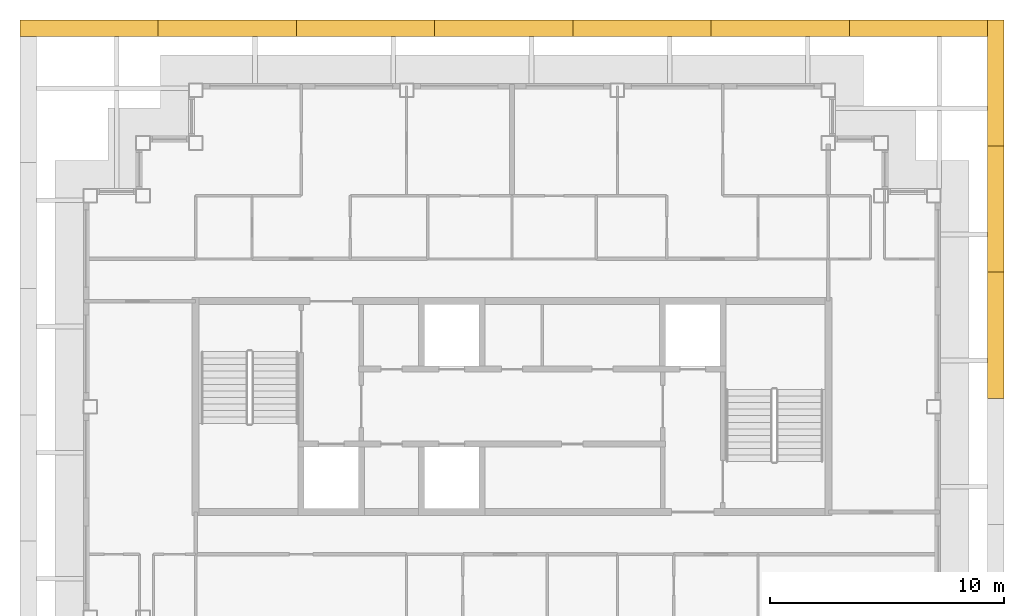
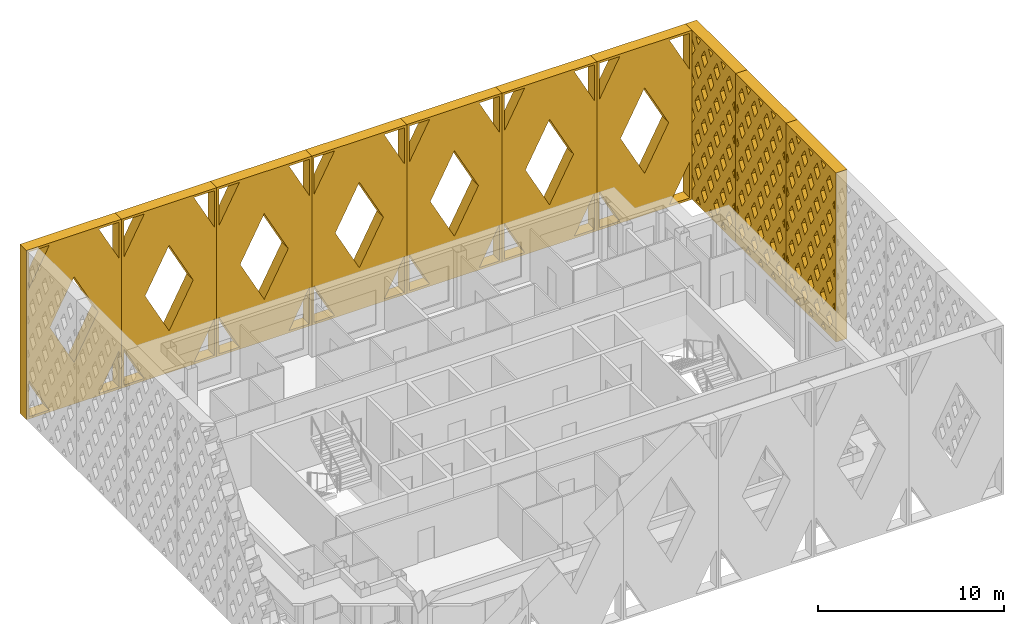
# One storey, part 13 of 13: 10 shading devices.
"""IFC4 building model written with IfcOpenShell, lengths in metres."""

from ifc_helpers import new_model, si_unit, direction, frame, origin, place, context, subcontext, project, spatial, polyline, outline, extrude, material, type_object, element, save


model = new_model("IFC4")

# Units and contexts
model_context = context("Model", 3, precision=1e-05, world=origin(), true_north=direction((0.0, 1.0)))
body_context = subcontext(model_context, "Body", "Model", "MODEL_VIEW")
ifc_project = project(units=[si_unit("LENGTHUNIT", "METRE"), si_unit("AREAUNIT", "SQUARE_METRE"), si_unit("VOLUMEUNIT", "CUBIC_METRE"), si_unit("PLANEANGLEUNIT", "RADIAN"), si_unit("MASSUNIT", "GRAM", prefix="KILO")], contexts=[model_context])

# Site, building, storey
site_placement = place(None, origin())
site = spatial("IfcSite", under=ifc_project, at=site_placement, CompositionType="ELEMENT")
building_placement = place(site_placement, origin())
building = spatial("IfcBuilding", under=site, at=building_placement, Name="Caravel Reach Hotel and Residences", CompositionType="ELEMENT")
storey_placement = place(building_placement, frame((0.0, 0.0, 283.39990234375)))
storey = spatial("IfcBuildingStorey", under=building, at=storey_placement, Name="L72", CompositionType="ELEMENT", Elevation=283.39990234375)

# Shading devices
ifc_material_1 = material(Name="Black powder-coated aluminium", Category="aluminium")
shading_device_type_1 = type_object("IfcShadingDeviceType", Name="Diamond lattice screen panel 5383 x 11100", PredefinedType="USERDEFINED", material=ifc_material_1)
shading_device_1_placement = place(storey_placement, frame((51.800048828125, 27.35009765625, 0.0), z_axis=(1.0, 0.0, 0.0), x_axis=(0.0, 1.0, 0.0)))
element("IfcShadingDevice", 1, at=shading_device_1_placement, inside=storey, type_object=shading_device_type_1, Name="Lattice screen L72-L74 1.4", ObjectType="SCREEN", PredefinedType="USERDEFINED", context=body_context, shape_type="SweptSolid", body=[
    extrude(outline(polyline([(0.0, 0.0), (5.38330078125, 0.0), (5.38330078125, 11.10009765625), (0.0, 11.10009765625), (0.0, 0.0)]), holes=[polyline([(0.338134765625, 2.219970703125), (0.14990234375, 2.530517578125), (0.14990234375, 1.90966796875), (0.338134765625, 2.219970703125)]), polyline([(0.338134765625, 4.43994140625), (0.14990234375, 4.75048828125), (0.14990234375, 4.129638671875), (0.338134765625, 4.43994140625)]), polyline([(0.338134765625, 6.659912109375), (0.14990234375, 6.970458984375), (0.14990234375, 6.349609375), (0.338134765625, 6.659912109375)]), polyline([(0.338134765625, 8.8798828125), (0.14990234375, 9.1904296875), (0.14990234375, 8.569580078125), (0.338134765625, 8.8798828125)]), polyline([(0.6728515625, 1.667724609375), (0.334716796875, 1.110107421875), (0.6728515625, 0.55224609375), (1.010986328125, 1.110107421875), (0.6728515625, 1.667724609375)]), polyline([(0.6728515625, 3.887939453125), (0.334716796875, 3.330078125), (0.6728515625, 2.772216796875), (1.010986328125, 3.330078125), (0.6728515625, 3.887939453125)]), polyline([(0.6728515625, 6.10791015625), (0.334716796875, 5.550048828125), (0.6728515625, 4.9921875), (1.010986328125, 5.550048828125), (0.6728515625, 6.10791015625)]), polyline([(0.6728515625, 8.327880859375), (0.334716796875, 7.77001953125), (0.6728515625, 7.212158203125), (1.010986328125, 7.77001953125), (0.6728515625, 8.327880859375)]), polyline([(0.6728515625, 10.5478515625), (0.334716796875, 9.989990234375), (0.6728515625, 9.43212890625), (1.010986328125, 9.989990234375), (0.6728515625, 10.5478515625)]), polyline([(1.345947265625, 0.557861328125), (1.0986328125, 0.14990234375), (1.593017578125, 0.14990234375), (1.345947265625, 0.557861328125)]), polyline([(1.345947265625, 2.77783203125), (1.007568359375, 2.219970703125), (1.345947265625, 1.662109375), (1.68408203125, 2.219970703125), (1.345947265625, 2.77783203125)]), polyline([(1.345947265625, 4.997802734375), (1.007568359375, 4.43994140625), (1.345947265625, 3.882080078125), (1.68408203125, 4.43994140625), (1.345947265625, 4.997802734375)]), polyline([(1.345947265625, 7.2177734375), (1.007568359375, 6.659912109375), (1.345947265625, 6.10205078125), (1.68408203125, 6.659912109375), (1.345947265625, 7.2177734375)]), polyline([(1.345947265625, 9.437744140625), (1.007568359375, 8.8798828125), (1.345947265625, 8.322265625), (1.68408203125, 8.8798828125), (1.345947265625, 9.437744140625)]), polyline([(1.345947265625, 10.542236328125), (1.593017578125, 10.949951171875), (1.0986328125, 10.949951171875), (1.345947265625, 10.542236328125)]), polyline([(2.018798828125, 1.667724609375), (1.6806640625, 1.110107421875), (2.018798828125, 0.55224609375), (2.35693359375, 1.110107421875), (2.018798828125, 1.667724609375)]), polyline([(2.018798828125, 3.887939453125), (1.6806640625, 3.330078125), (2.018798828125, 2.772216796875), (2.35693359375, 3.330078125), (2.018798828125, 3.887939453125)]), polyline([(2.018798828125, 6.10791015625), (1.6806640625, 5.550048828125), (2.018798828125, 4.9921875), (2.35693359375, 5.550048828125), (2.018798828125, 6.10791015625)]), polyline([(2.018798828125, 8.327880859375), (1.6806640625, 7.77001953125), (2.018798828125, 7.212158203125), (2.35693359375, 7.77001953125), (2.018798828125, 8.327880859375)]), polyline([(2.018798828125, 10.5478515625), (1.6806640625, 9.989990234375), (2.018798828125, 9.43212890625), (2.35693359375, 9.989990234375), (2.018798828125, 10.5478515625)]), polyline([(2.691650390625, 0.557861328125), (2.4443359375, 0.14990234375), (2.93896484375, 0.14990234375), (2.691650390625, 0.557861328125)]), polyline([(2.691650390625, 2.77783203125), (2.353515625, 2.219970703125), (2.691650390625, 1.662109375), (3.02978515625, 2.219970703125), (2.691650390625, 2.77783203125)]), polyline([(2.691650390625, 4.997802734375), (2.353515625, 4.43994140625), (2.691650390625, 3.882080078125), (3.02978515625, 4.43994140625), (2.691650390625, 4.997802734375)]), polyline([(2.691650390625, 7.2177734375), (2.353515625, 6.659912109375), (2.691650390625, 6.10205078125), (3.02978515625, 6.659912109375), (2.691650390625, 7.2177734375)]), polyline([(2.691650390625, 9.437744140625), (2.353515625, 8.8798828125), (2.691650390625, 8.322265625), (3.02978515625, 8.8798828125), (2.691650390625, 9.437744140625)]), polyline([(2.691650390625, 10.542236328125), (2.93896484375, 10.949951171875), (2.4443359375, 10.949951171875), (2.691650390625, 10.542236328125)]), polyline([(3.364501953125, 1.667724609375), (3.0263671875, 1.110107421875), (3.364501953125, 0.55224609375), (3.702880859375, 1.110107421875), (3.364501953125, 1.667724609375)]), polyline([(3.364501953125, 3.887939453125), (3.0263671875, 3.330078125), (3.364501953125, 2.772216796875), (3.702880859375, 3.330078125), (3.364501953125, 3.887939453125)]), polyline([(3.364501953125, 6.10791015625), (3.0263671875, 5.550048828125), (3.364501953125, 4.9921875), (3.702880859375, 5.550048828125), (3.364501953125, 6.10791015625)]), polyline([(3.364501953125, 8.327880859375), (3.0263671875, 7.77001953125), (3.364501953125, 7.212158203125), (3.702880859375, 7.77001953125), (3.364501953125, 8.327880859375)]), polyline([(3.364501953125, 10.5478515625), (3.0263671875, 9.989990234375), (3.364501953125, 9.43212890625), (3.702880859375, 9.989990234375), (3.364501953125, 10.5478515625)]), polyline([(4.03759765625, 0.557861328125), (3.790283203125, 0.14990234375), (4.28466796875, 0.14990234375), (4.03759765625, 0.557861328125)]), polyline([(4.03759765625, 2.77783203125), (3.69921875, 2.219970703125), (4.03759765625, 1.662109375), (4.375732421875, 2.219970703125), (4.03759765625, 2.77783203125)]), polyline([(4.03759765625, 4.997802734375), (3.69921875, 4.43994140625), (4.03759765625, 3.882080078125), (4.375732421875, 4.43994140625), (4.03759765625, 4.997802734375)]), polyline([(4.03759765625, 7.2177734375), (3.69921875, 6.659912109375), (4.03759765625, 6.10205078125), (4.375732421875, 6.659912109375), (4.03759765625, 7.2177734375)]), polyline([(4.03759765625, 9.437744140625), (3.69921875, 8.8798828125), (4.03759765625, 8.322265625), (4.375732421875, 8.8798828125), (4.03759765625, 9.437744140625)]), polyline([(4.03759765625, 10.542236328125), (4.28466796875, 10.949951171875), (3.790283203125, 10.949951171875), (4.03759765625, 10.542236328125)]), polyline([(4.71044921875, 1.667724609375), (4.372314453125, 1.110107421875), (4.71044921875, 0.55224609375), (5.048583984375, 1.110107421875), (4.71044921875, 1.667724609375)]), polyline([(4.71044921875, 3.887939453125), (4.372314453125, 3.330078125), (4.71044921875, 2.772216796875), (5.048583984375, 3.330078125), (4.71044921875, 3.887939453125)]), polyline([(4.71044921875, 6.10791015625), (4.372314453125, 5.550048828125), (4.71044921875, 4.9921875), (5.048583984375, 5.550048828125), (4.71044921875, 6.10791015625)]), polyline([(4.71044921875, 8.327880859375), (4.372314453125, 7.77001953125), (4.71044921875, 7.212158203125), (5.048583984375, 7.77001953125), (4.71044921875, 8.327880859375)]), polyline([(4.71044921875, 10.5478515625), (4.372314453125, 9.989990234375), (4.71044921875, 9.43212890625), (5.048583984375, 9.989990234375), (4.71044921875, 10.5478515625)]), polyline([(5.045166015625, 2.219970703125), (5.2333984375, 1.90966796875), (5.2333984375, 2.530517578125), (5.045166015625, 2.219970703125)]), polyline([(5.045166015625, 4.43994140625), (5.2333984375, 4.129638671875), (5.2333984375, 4.75048828125), (5.045166015625, 4.43994140625)]), polyline([(5.045166015625, 6.659912109375), (5.2333984375, 6.349609375), (5.2333984375, 6.970458984375), (5.045166015625, 6.659912109375)]), polyline([(5.045166015625, 8.8798828125), (5.2333984375, 8.569580078125), (5.2333984375, 9.1904296875), (5.045166015625, 8.8798828125)])]), origin(), (0.0, 0.0, 1.0), 0.699951171875),
])
shading_device_2_placement = place(storey_placement, frame((51.800048828125, 32.7333984375, 0.0), z_axis=(1.0, 0.0, 0.0), x_axis=(0.0, 1.0, 0.0)))
element("IfcShadingDevice", 2, at=shading_device_2_placement, inside=storey, type_object=shading_device_type_1, Name="Lattice screen L72-L74 1.5", ObjectType="SCREEN", PredefinedType="USERDEFINED", context=body_context, shape_type="SweptSolid", body=[
    extrude(outline(polyline([(0.0, 0.0), (5.38330078125, 0.0), (5.38330078125, 11.10009765625), (0.0, 11.10009765625), (0.0, 0.0)]), holes=[polyline([(0.338134765625, 2.219970703125), (0.14990234375, 2.530517578125), (0.14990234375, 1.90966796875), (0.338134765625, 2.219970703125)]), polyline([(0.338134765625, 4.43994140625), (0.14990234375, 4.75048828125), (0.14990234375, 4.129638671875), (0.338134765625, 4.43994140625)]), polyline([(0.338134765625, 6.659912109375), (0.14990234375, 6.970458984375), (0.14990234375, 6.349609375), (0.338134765625, 6.659912109375)]), polyline([(0.338134765625, 8.8798828125), (0.14990234375, 9.1904296875), (0.14990234375, 8.569580078125), (0.338134765625, 8.8798828125)]), polyline([(0.6728515625, 1.667724609375), (0.334716796875, 1.110107421875), (0.6728515625, 0.55224609375), (1.010986328125, 1.110107421875), (0.6728515625, 1.667724609375)]), polyline([(0.6728515625, 3.887939453125), (0.334716796875, 3.330078125), (0.6728515625, 2.772216796875), (1.010986328125, 3.330078125), (0.6728515625, 3.887939453125)]), polyline([(0.6728515625, 6.10791015625), (0.334716796875, 5.550048828125), (0.6728515625, 4.9921875), (1.010986328125, 5.550048828125), (0.6728515625, 6.10791015625)]), polyline([(0.6728515625, 8.327880859375), (0.334716796875, 7.77001953125), (0.6728515625, 7.212158203125), (1.010986328125, 7.77001953125), (0.6728515625, 8.327880859375)]), polyline([(0.6728515625, 10.5478515625), (0.334716796875, 9.989990234375), (0.6728515625, 9.43212890625), (1.010986328125, 9.989990234375), (0.6728515625, 10.5478515625)]), polyline([(1.345947265625, 0.557861328125), (1.0986328125, 0.14990234375), (1.593017578125, 0.14990234375), (1.345947265625, 0.557861328125)]), polyline([(1.345947265625, 2.77783203125), (1.007568359375, 2.219970703125), (1.345947265625, 1.662109375), (1.68408203125, 2.219970703125), (1.345947265625, 2.77783203125)]), polyline([(1.345947265625, 4.997802734375), (1.007568359375, 4.43994140625), (1.345947265625, 3.882080078125), (1.68408203125, 4.43994140625), (1.345947265625, 4.997802734375)]), polyline([(1.345947265625, 7.2177734375), (1.007568359375, 6.659912109375), (1.345947265625, 6.10205078125), (1.68408203125, 6.659912109375), (1.345947265625, 7.2177734375)]), polyline([(1.345947265625, 9.437744140625), (1.007568359375, 8.8798828125), (1.345947265625, 8.322265625), (1.68408203125, 8.8798828125), (1.345947265625, 9.437744140625)]), polyline([(1.345947265625, 10.542236328125), (1.593017578125, 10.949951171875), (1.0986328125, 10.949951171875), (1.345947265625, 10.542236328125)]), polyline([(2.018798828125, 1.667724609375), (1.6806640625, 1.110107421875), (2.018798828125, 0.55224609375), (2.35693359375, 1.110107421875), (2.018798828125, 1.667724609375)]), polyline([(2.018798828125, 3.887939453125), (1.6806640625, 3.330078125), (2.018798828125, 2.772216796875), (2.35693359375, 3.330078125), (2.018798828125, 3.887939453125)]), polyline([(2.018798828125, 6.10791015625), (1.6806640625, 5.550048828125), (2.018798828125, 4.9921875), (2.35693359375, 5.550048828125), (2.018798828125, 6.10791015625)]), polyline([(2.018798828125, 8.327880859375), (1.6806640625, 7.77001953125), (2.018798828125, 7.212158203125), (2.35693359375, 7.77001953125), (2.018798828125, 8.327880859375)]), polyline([(2.018798828125, 10.5478515625), (1.6806640625, 9.989990234375), (2.018798828125, 9.43212890625), (2.35693359375, 9.989990234375), (2.018798828125, 10.5478515625)]), polyline([(2.691650390625, 0.557861328125), (2.4443359375, 0.14990234375), (2.93896484375, 0.14990234375), (2.691650390625, 0.557861328125)]), polyline([(2.691650390625, 2.77783203125), (2.353515625, 2.219970703125), (2.691650390625, 1.662109375), (3.02978515625, 2.219970703125), (2.691650390625, 2.77783203125)]), polyline([(2.691650390625, 4.997802734375), (2.353515625, 4.43994140625), (2.691650390625, 3.882080078125), (3.02978515625, 4.43994140625), (2.691650390625, 4.997802734375)]), polyline([(2.691650390625, 7.2177734375), (2.353515625, 6.659912109375), (2.691650390625, 6.10205078125), (3.02978515625, 6.659912109375), (2.691650390625, 7.2177734375)]), polyline([(2.691650390625, 9.437744140625), (2.353515625, 8.8798828125), (2.691650390625, 8.322265625), (3.02978515625, 8.8798828125), (2.691650390625, 9.437744140625)]), polyline([(2.691650390625, 10.542236328125), (2.93896484375, 10.949951171875), (2.4443359375, 10.949951171875), (2.691650390625, 10.542236328125)]), polyline([(3.364501953125, 1.667724609375), (3.0263671875, 1.110107421875), (3.364501953125, 0.55224609375), (3.702880859375, 1.110107421875), (3.364501953125, 1.667724609375)]), polyline([(3.364501953125, 3.887939453125), (3.0263671875, 3.330078125), (3.364501953125, 2.772216796875), (3.702880859375, 3.330078125), (3.364501953125, 3.887939453125)]), polyline([(3.364501953125, 6.10791015625), (3.0263671875, 5.550048828125), (3.364501953125, 4.9921875), (3.702880859375, 5.550048828125), (3.364501953125, 6.10791015625)]), polyline([(3.364501953125, 8.327880859375), (3.0263671875, 7.77001953125), (3.364501953125, 7.212158203125), (3.702880859375, 7.77001953125), (3.364501953125, 8.327880859375)]), polyline([(3.364501953125, 10.5478515625), (3.0263671875, 9.989990234375), (3.364501953125, 9.43212890625), (3.702880859375, 9.989990234375), (3.364501953125, 10.5478515625)]), polyline([(4.03759765625, 0.557861328125), (3.790283203125, 0.14990234375), (4.28466796875, 0.14990234375), (4.03759765625, 0.557861328125)]), polyline([(4.03759765625, 2.77783203125), (3.69921875, 2.219970703125), (4.03759765625, 1.662109375), (4.375732421875, 2.219970703125), (4.03759765625, 2.77783203125)]), polyline([(4.03759765625, 4.997802734375), (3.69921875, 4.43994140625), (4.03759765625, 3.882080078125), (4.375732421875, 4.43994140625), (4.03759765625, 4.997802734375)]), polyline([(4.03759765625, 7.2177734375), (3.69921875, 6.659912109375), (4.03759765625, 6.10205078125), (4.375732421875, 6.659912109375), (4.03759765625, 7.2177734375)]), polyline([(4.03759765625, 9.437744140625), (3.69921875, 8.8798828125), (4.03759765625, 8.322265625), (4.375732421875, 8.8798828125), (4.03759765625, 9.437744140625)]), polyline([(4.03759765625, 10.542236328125), (4.28466796875, 10.949951171875), (3.790283203125, 10.949951171875), (4.03759765625, 10.542236328125)]), polyline([(4.71044921875, 1.667724609375), (4.372314453125, 1.110107421875), (4.71044921875, 0.55224609375), (5.048583984375, 1.110107421875), (4.71044921875, 1.667724609375)]), polyline([(4.71044921875, 3.887939453125), (4.372314453125, 3.330078125), (4.71044921875, 2.772216796875), (5.048583984375, 3.330078125), (4.71044921875, 3.887939453125)]), polyline([(4.71044921875, 6.10791015625), (4.372314453125, 5.550048828125), (4.71044921875, 4.9921875), (5.048583984375, 5.550048828125), (4.71044921875, 6.10791015625)]), polyline([(4.71044921875, 8.327880859375), (4.372314453125, 7.77001953125), (4.71044921875, 7.212158203125), (5.048583984375, 7.77001953125), (4.71044921875, 8.327880859375)]), polyline([(4.71044921875, 10.5478515625), (4.372314453125, 9.989990234375), (4.71044921875, 9.43212890625), (5.048583984375, 9.989990234375), (4.71044921875, 10.5478515625)]), polyline([(5.045166015625, 2.219970703125), (5.2333984375, 1.90966796875), (5.2333984375, 2.530517578125), (5.045166015625, 2.219970703125)]), polyline([(5.045166015625, 4.43994140625), (5.2333984375, 4.129638671875), (5.2333984375, 4.75048828125), (5.045166015625, 4.43994140625)]), polyline([(5.045166015625, 6.659912109375), (5.2333984375, 6.349609375), (5.2333984375, 6.970458984375), (5.045166015625, 6.659912109375)]), polyline([(5.045166015625, 8.8798828125), (5.2333984375, 8.569580078125), (5.2333984375, 9.1904296875), (5.045166015625, 8.8798828125)])]), origin(), (0.0, 0.0, 1.0), 0.699951171875),
])
shading_device_3_placement = place(storey_placement, frame((51.800048828125, 38.11669921875, 0.0), z_axis=(1.0, 0.0, 0.0), x_axis=(0.0, 1.0, 0.0)))
element("IfcShadingDevice", 3, at=shading_device_3_placement, inside=storey, type_object=shading_device_type_1, Name="Lattice screen L72-L74 1.6", ObjectType="SCREEN", PredefinedType="USERDEFINED", context=body_context, shape_type="SweptSolid", body=[
    extrude(outline(polyline([(0.0, 0.0), (5.38330078125, 0.0), (5.38330078125, 11.10009765625), (0.0, 11.10009765625), (0.0, 0.0)]), holes=[polyline([(0.338134765625, 2.219970703125), (0.14990234375, 2.530517578125), (0.14990234375, 1.90966796875), (0.338134765625, 2.219970703125)]), polyline([(0.338134765625, 4.43994140625), (0.14990234375, 4.75048828125), (0.14990234375, 4.129638671875), (0.338134765625, 4.43994140625)]), polyline([(0.338134765625, 6.659912109375), (0.14990234375, 6.970458984375), (0.14990234375, 6.349609375), (0.338134765625, 6.659912109375)]), polyline([(0.338134765625, 8.8798828125), (0.14990234375, 9.1904296875), (0.14990234375, 8.569580078125), (0.338134765625, 8.8798828125)]), polyline([(0.6728515625, 1.667724609375), (0.334716796875, 1.110107421875), (0.6728515625, 0.55224609375), (1.010986328125, 1.110107421875), (0.6728515625, 1.667724609375)]), polyline([(0.6728515625, 3.887939453125), (0.334716796875, 3.330078125), (0.6728515625, 2.772216796875), (1.010986328125, 3.330078125), (0.6728515625, 3.887939453125)]), polyline([(0.6728515625, 6.10791015625), (0.334716796875, 5.550048828125), (0.6728515625, 4.9921875), (1.010986328125, 5.550048828125), (0.6728515625, 6.10791015625)]), polyline([(0.6728515625, 8.327880859375), (0.334716796875, 7.77001953125), (0.6728515625, 7.212158203125), (1.010986328125, 7.77001953125), (0.6728515625, 8.327880859375)]), polyline([(0.6728515625, 10.5478515625), (0.334716796875, 9.989990234375), (0.6728515625, 9.43212890625), (1.010986328125, 9.989990234375), (0.6728515625, 10.5478515625)]), polyline([(1.345947265625, 0.557861328125), (1.0986328125, 0.14990234375), (1.593017578125, 0.14990234375), (1.345947265625, 0.557861328125)]), polyline([(1.345947265625, 2.77783203125), (1.007568359375, 2.219970703125), (1.345947265625, 1.662109375), (1.68408203125, 2.219970703125), (1.345947265625, 2.77783203125)]), polyline([(1.345947265625, 4.997802734375), (1.007568359375, 4.43994140625), (1.345947265625, 3.882080078125), (1.68408203125, 4.43994140625), (1.345947265625, 4.997802734375)]), polyline([(1.345947265625, 7.2177734375), (1.007568359375, 6.659912109375), (1.345947265625, 6.10205078125), (1.68408203125, 6.659912109375), (1.345947265625, 7.2177734375)]), polyline([(1.345947265625, 9.437744140625), (1.007568359375, 8.8798828125), (1.345947265625, 8.322265625), (1.68408203125, 8.8798828125), (1.345947265625, 9.437744140625)]), polyline([(1.345947265625, 10.542236328125), (1.593017578125, 10.949951171875), (1.0986328125, 10.949951171875), (1.345947265625, 10.542236328125)]), polyline([(2.018798828125, 1.667724609375), (1.6806640625, 1.110107421875), (2.018798828125, 0.55224609375), (2.35693359375, 1.110107421875), (2.018798828125, 1.667724609375)]), polyline([(2.018798828125, 3.887939453125), (1.6806640625, 3.330078125), (2.018798828125, 2.772216796875), (2.35693359375, 3.330078125), (2.018798828125, 3.887939453125)]), polyline([(2.018798828125, 6.10791015625), (1.6806640625, 5.550048828125), (2.018798828125, 4.9921875), (2.35693359375, 5.550048828125), (2.018798828125, 6.10791015625)]), polyline([(2.018798828125, 8.327880859375), (1.6806640625, 7.77001953125), (2.018798828125, 7.212158203125), (2.35693359375, 7.77001953125), (2.018798828125, 8.327880859375)]), polyline([(2.018798828125, 10.5478515625), (1.6806640625, 9.989990234375), (2.018798828125, 9.43212890625), (2.35693359375, 9.989990234375), (2.018798828125, 10.5478515625)]), polyline([(2.691650390625, 0.557861328125), (2.4443359375, 0.14990234375), (2.93896484375, 0.14990234375), (2.691650390625, 0.557861328125)]), polyline([(2.691650390625, 2.77783203125), (2.353515625, 2.219970703125), (2.691650390625, 1.662109375), (3.02978515625, 2.219970703125), (2.691650390625, 2.77783203125)]), polyline([(2.691650390625, 4.997802734375), (2.353515625, 4.43994140625), (2.691650390625, 3.882080078125), (3.02978515625, 4.43994140625), (2.691650390625, 4.997802734375)]), polyline([(2.691650390625, 7.2177734375), (2.353515625, 6.659912109375), (2.691650390625, 6.10205078125), (3.02978515625, 6.659912109375), (2.691650390625, 7.2177734375)]), polyline([(2.691650390625, 9.437744140625), (2.353515625, 8.8798828125), (2.691650390625, 8.322265625), (3.02978515625, 8.8798828125), (2.691650390625, 9.437744140625)]), polyline([(2.691650390625, 10.542236328125), (2.93896484375, 10.949951171875), (2.4443359375, 10.949951171875), (2.691650390625, 10.542236328125)]), polyline([(3.364501953125, 1.667724609375), (3.0263671875, 1.110107421875), (3.364501953125, 0.55224609375), (3.702880859375, 1.110107421875), (3.364501953125, 1.667724609375)]), polyline([(3.364501953125, 3.887939453125), (3.0263671875, 3.330078125), (3.364501953125, 2.772216796875), (3.702880859375, 3.330078125), (3.364501953125, 3.887939453125)]), polyline([(3.364501953125, 6.10791015625), (3.0263671875, 5.550048828125), (3.364501953125, 4.9921875), (3.702880859375, 5.550048828125), (3.364501953125, 6.10791015625)]), polyline([(3.364501953125, 8.327880859375), (3.0263671875, 7.77001953125), (3.364501953125, 7.212158203125), (3.702880859375, 7.77001953125), (3.364501953125, 8.327880859375)]), polyline([(3.364501953125, 10.5478515625), (3.0263671875, 9.989990234375), (3.364501953125, 9.43212890625), (3.702880859375, 9.989990234375), (3.364501953125, 10.5478515625)]), polyline([(4.03759765625, 0.557861328125), (3.790283203125, 0.14990234375), (4.28466796875, 0.14990234375), (4.03759765625, 0.557861328125)]), polyline([(4.03759765625, 2.77783203125), (3.69921875, 2.219970703125), (4.03759765625, 1.662109375), (4.375732421875, 2.219970703125), (4.03759765625, 2.77783203125)]), polyline([(4.03759765625, 4.997802734375), (3.69921875, 4.43994140625), (4.03759765625, 3.882080078125), (4.375732421875, 4.43994140625), (4.03759765625, 4.997802734375)]), polyline([(4.03759765625, 7.2177734375), (3.69921875, 6.659912109375), (4.03759765625, 6.10205078125), (4.375732421875, 6.659912109375), (4.03759765625, 7.2177734375)]), polyline([(4.03759765625, 9.437744140625), (3.69921875, 8.8798828125), (4.03759765625, 8.322265625), (4.375732421875, 8.8798828125), (4.03759765625, 9.437744140625)]), polyline([(4.03759765625, 10.542236328125), (4.28466796875, 10.949951171875), (3.790283203125, 10.949951171875), (4.03759765625, 10.542236328125)]), polyline([(4.71044921875, 1.667724609375), (4.372314453125, 1.110107421875), (4.71044921875, 0.55224609375), (5.048583984375, 1.110107421875), (4.71044921875, 1.667724609375)]), polyline([(4.71044921875, 3.887939453125), (4.372314453125, 3.330078125), (4.71044921875, 2.772216796875), (5.048583984375, 3.330078125), (4.71044921875, 3.887939453125)]), polyline([(4.71044921875, 6.10791015625), (4.372314453125, 5.550048828125), (4.71044921875, 4.9921875), (5.048583984375, 5.550048828125), (4.71044921875, 6.10791015625)]), polyline([(4.71044921875, 8.327880859375), (4.372314453125, 7.77001953125), (4.71044921875, 7.212158203125), (5.048583984375, 7.77001953125), (4.71044921875, 8.327880859375)]), polyline([(4.71044921875, 10.5478515625), (4.372314453125, 9.989990234375), (4.71044921875, 9.43212890625), (5.048583984375, 9.989990234375), (4.71044921875, 10.5478515625)]), polyline([(5.045166015625, 2.219970703125), (5.2333984375, 1.90966796875), (5.2333984375, 2.530517578125), (5.045166015625, 2.219970703125)]), polyline([(5.045166015625, 4.43994140625), (5.2333984375, 4.129638671875), (5.2333984375, 4.75048828125), (5.045166015625, 4.43994140625)]), polyline([(5.045166015625, 6.659912109375), (5.2333984375, 6.349609375), (5.2333984375, 6.970458984375), (5.045166015625, 6.659912109375)]), polyline([(5.045166015625, 8.8798828125), (5.2333984375, 8.569580078125), (5.2333984375, 9.1904296875), (5.045166015625, 8.8798828125)])]), origin(), (0.0, 0.0, 1.0), 0.699951171875),
])
ifc_material_2 = material(Name="Black powder-coated aluminium", Category="aluminium")
shading_device_type_2 = type_object("IfcShadingDeviceType", Name="Diamond lattice screen panel 5900 x 11100", PredefinedType="USERDEFINED", material=ifc_material_2)
for number, where, z_axis, x_axis, name in (
    (4, (51.800048828125, 42.800048828125, 0.0), (0.0, 1.0, 0.0), (-1.0, 0.0, 0.0), "Lattice screen L72-L74 2.1"),
    (5, (45.89990234375, 42.800048828125, 0.0), (0.0, 1.0, 0.0), (-1.0, 0.0, 0.0), "Lattice screen L72-L74 2.2"),
    (6, (40.0, 42.800048828125, 0.0), (0.0, 1.0, 0.0), (-1.0, 0.0, 0.0), "Lattice screen L72-L74 2.3"),
    (7, (34.10009765625, 42.800048828125, 0.0), (0.0, 1.0, 0.0), (-1.0, 0.0, 0.0), "Lattice screen L72-L74 2.4"),
    (8, (28.199951171875, 42.800048828125, 0.0), (0.0, 1.0, 0.0), (-1.0, 0.0, 0.0), "Lattice screen L72-L74 2.5"),
    (9, (22.300048828125, 42.800048828125, 0.0), (0.0, 1.0, 0.0), (-1.0, 0.0, 0.0), "Lattice screen L72-L74 2.6"),
    (10, (16.39990234375, 42.800048828125, 0.0), (0.0, 1.0, 0.0), (-1.0, 0.0, 0.0), "Lattice screen L72-L74 2.7"),
):
    element("IfcShadingDevice", number, at=place(storey_placement, frame(where, z_axis=z_axis, x_axis=x_axis)), inside=storey, type_object=shading_device_type_2, Name=name, ObjectType="SCREEN", PredefinedType="USERDEFINED", context=body_context, shape_type="SweptSolid", body=[
        extrude(outline(polyline([(0.0, 0.0), (5.89990234375, 0.0), (5.89990234375, 11.10009765625), (0.0, 11.10009765625), (0.0, 0.0)]), holes=[polyline([(1.4140625, 0.14990234375), (0.14990234375, 2.528076171875), (0.14990234375, 0.14990234375), (1.4140625, 0.14990234375)]), polyline([(0.14990234375, 8.572021484375), (1.4140625, 10.949951171875), (0.14990234375, 10.949951171875), (0.14990234375, 8.572021484375)]), polyline([(2.949951171875, 8.3603515625), (1.456298828125, 5.550048828125), (2.949951171875, 2.73974609375), (4.44384765625, 5.550048828125), (2.949951171875, 8.3603515625)]), polyline([(5.75, 2.528076171875), (4.486083984375, 0.14990234375), (5.75, 0.14990234375), (5.75, 2.528076171875)]), polyline([(4.486083984375, 10.949951171875), (5.75, 8.572021484375), (5.75, 10.949951171875), (4.486083984375, 10.949951171875)])]), origin(), (0.0, 0.0, 1.0), 0.699951171875),
    ])

save(model, "model.ifc")
